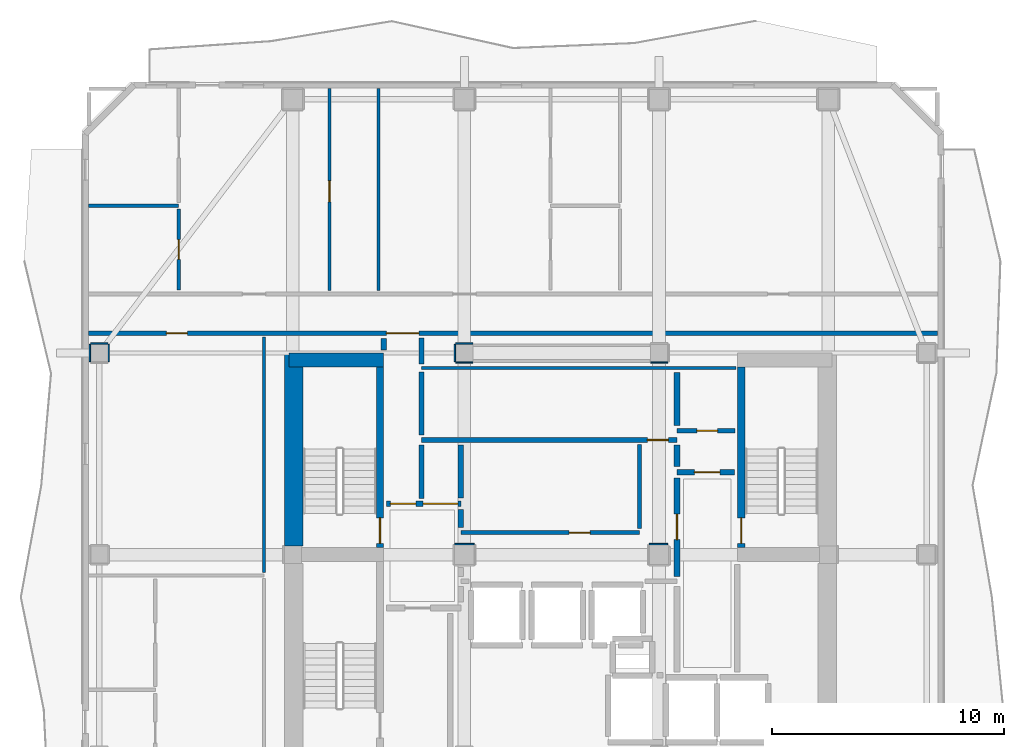
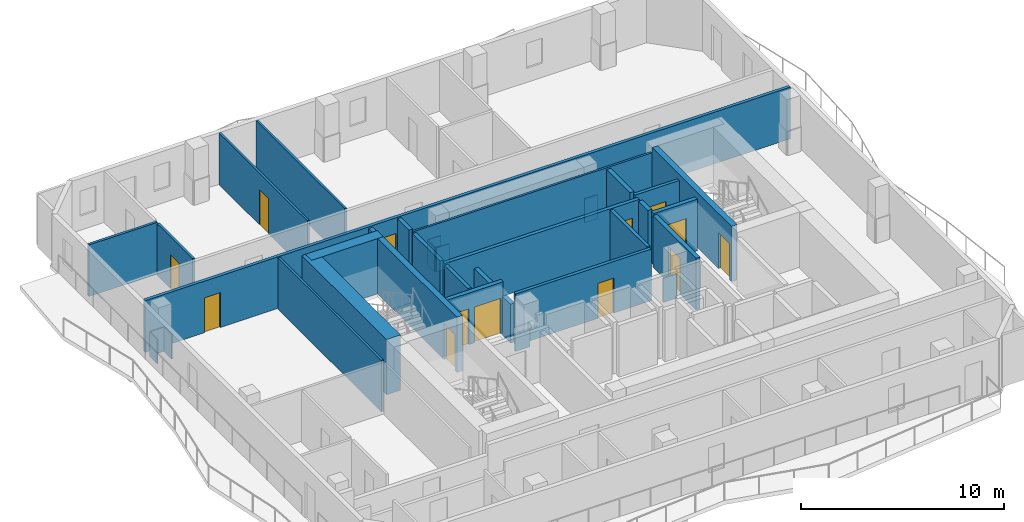
# One storey, part 4 of 10: 35 walls, 13 doors, 13 openings.
"""IFC4 building model written with IfcOpenShell, lengths in metres."""

import ifcopenshell
import ifcopenshell.guid

model = None  # the IFC model being written
_history = None  # IfcOwnerHistory: only IFC2X3 demands one
_inside = {}  # id of a spatial element -> (the spatial element, [elements in it])
_under = {}  # id of a project, library or spatial element -> (it, [spatial elements below it])
_declared = {}  # id of a project -> (the project, [libraries it declares])
_typed = {}  # id of a type object -> (the type object, [elements of that type])
_made_of = {}  # id of a material, layer set ... -> (it, [elements and type objects made of it])


def new_model(schema):
    """Start an empty IFC model of exactly this schema.

    Asked for "IFC4X3", IfcOpenShell would pick the latest addendum, in which some entities
    have other attributes; the version numbers below select the first issue.
    IFC2X3 requires an IfcOwnerHistory on every rooted entity: one is made here for all.
    """
    global model, _history
    if schema == "IFC4X3":
        model = ifcopenshell.file(schema_version=(4, 3, 0, 0))
    else:
        model = ifcopenshell.file(schema=schema)
    _inside.clear()
    _under.clear()
    _declared.clear()
    _typed.clear()
    _made_of.clear()
    _history = None
    if model.schema == "IFC2X3":
        org = make("IfcOrganization", Name="unknown")
        user = make(
            "IfcPersonAndOrganization",
            ThePerson=make("IfcPerson", FamilyName="unknown"),
            TheOrganization=org,
        )
        app = make(
            "IfcApplication",
            ApplicationDeveloper=org,
            Version="unknown",
            ApplicationFullName="unknown",
            ApplicationIdentifier="unknown",
        )
        _history = make(
            "IfcOwnerHistory",
            OwningUser=user,
            OwningApplication=app,
            ChangeAction="ADDED",
            CreationDate=0,
        )
    return model


def make(cls, **values):
    """One entity of the class cls with the attributes given. An attribute that is None is left unset."""
    return model.create_entity(
        cls, **{name: value for name, value in values.items() if value is not None}
    )


def rooted(cls, **values):
    """An entity with a GlobalId (a new one), such as an element, a storey or a relation."""
    return make(cls, GlobalId=ifcopenshell.guid.new(), OwnerHistory=_history, **values)


def si_unit(unit_type, name, prefix=None):
    """IfcSIUnit, for example si_unit("LENGTHUNIT", "METRE", prefix="MILLI")."""
    return make("IfcSIUnit", UnitType=unit_type, Prefix=prefix, Name=name)


def assignment(units):
    """IfcUnitAssignment: the units of a project."""
    return None if units is None else make("IfcUnitAssignment", Units=units)


def point(xyz):
    """IfcCartesianPoint."""
    return None if xyz is None else make("IfcCartesianPoint", Coordinates=xyz)


def direction(xyz):
    """IfcDirection."""
    return None if xyz is None else make("IfcDirection", DirectionRatios=xyz)


def frame(location, z_axis=None, x_axis=None):
    """IfcAxis2Placement3D, a coordinate frame: its origin and axes. An axis left out is left unset."""
    return make(
        "IfcAxis2Placement3D",
        Location=point(location),
        Axis=direction(z_axis),
        RefDirection=direction(x_axis),
    )


def frame_2d(location, x_axis=None):
    """IfcAxis2Placement2D, a coordinate frame in the plane: its origin and x axis."""
    return make(
        "IfcAxis2Placement2D", Location=point(location), RefDirection=direction(x_axis)
    )


def origin():
    """The frame at (0, 0, 0) with its axes left unset."""
    return frame((0.0, 0.0, 0.0))


def place(relative_to, where):
    """IfcLocalPlacement: puts the frame where relative to a parent placement (None: the world)."""
    return make(
        "IfcLocalPlacement", PlacementRelTo=relative_to, RelativePlacement=where
    )


def context(
    kind, dimensions, precision=None, world=None, true_north=None, identifier=None
):
    """IfcGeometricRepresentationContext, for example the 3D "Model" context."""
    return make(
        "IfcGeometricRepresentationContext",
        ContextIdentifier=identifier,
        ContextType=kind,
        CoordinateSpaceDimension=dimensions,
        Precision=precision,
        WorldCoordinateSystem=world,
        TrueNorth=true_north,
    )


def subcontext(parent, identifier, kind, view, scale=None):
    """IfcGeometricRepresentationSubContext, for example "Body" below "Model"."""
    return make(
        "IfcGeometricRepresentationSubContext",
        ContextIdentifier=identifier,
        ContextType=kind,
        ParentContext=parent,
        TargetScale=scale,
        TargetView=view,
    )


def project(units=None, contexts=None):
    """IfcProject with its units and contexts."""
    return rooted(
        "IfcProject",
        Name="project",
        RepresentationContexts=contexts,
        UnitsInContext=assignment(units),
    )


def spatial(cls, under=None, at=None, **own):
    """A site, building, storey or space (cls), placed at a placement, below another one or the project."""
    s = rooted(cls, ObjectPlacement=at, **own)
    if under is not None:
        _under.setdefault(under.id(), (under, []))[1].append(s)
    return s


def profile(cls, at=None, kind="AREA", **sizes):
    """A parametric profile (cls). Its sizes go by their IFC names, for example OverallWidth=200.0."""
    return make(cls, ProfileType=kind, Position=at, **sizes)


def rectangle(**sizes):
    """IfcRectangleProfileDef."""
    return profile("IfcRectangleProfileDef", **sizes)


def extrude(swept, where, along, depth):
    """IfcExtrudedAreaSolid: the profile swept, set in the frame where, extruded along a direction by depth."""
    return make(
        "IfcExtrudedAreaSolid",
        SweptArea=swept,
        Position=where,
        ExtrudedDirection=direction(along),
        Depth=depth,
    )


def shape(context_of_items, identifier, shape_type, items):
    """IfcShapeRepresentation: the items that make up one representation, for example the "Body"."""
    return make(
        "IfcShapeRepresentation",
        ContextOfItems=context_of_items,
        RepresentationIdentifier=identifier,
        RepresentationType=shape_type,
        Items=items,
    )


def material(Name=None, Category=None):
    """IfcMaterial."""
    return make("IfcMaterial", Name=Name, Category=Category)


def layer(
    of_material, thickness, ventilated=None, Name=None, Category=None, Priority=None
):
    """IfcMaterialLayer: one layer of a wall or slab, of a material (None: an air gap)."""
    return make(
        "IfcMaterialLayer",
        Material=of_material,
        LayerThickness=thickness,
        IsVentilated=ventilated,
        Name=Name,
        Category=Category,
        Priority=Priority,
    )


def layer_set(layers, Name=None):
    """IfcMaterialLayerSet."""
    return make("IfcMaterialLayerSet", MaterialLayers=layers, LayerSetName=Name)


def made_of(thing, what):
    """Note that an element or type object is made of a material, layer set ...; save() writes the relation."""
    if what is not None:
        _made_of.setdefault(what.id(), (what, []))[1].append(thing)
    return thing


def type_object(cls, material=None, **own):
    """A type object (cls), such as IfcWallType, which elements share."""
    return made_of(rooted(cls, **own), material)


def element(
    cls,
    number,
    at=None,
    inside=None,
    cuts=None,
    type_object=None,
    material=None,
    context=None,
    identifier="Body",
    shape_type=None,
    held_by="IfcProductDefinitionShape",
    body=None,
    shapes=None,
    **own,
):
    """One element of the class cls, such as IfcWall. Its Tag is "e" and its number.

    at: its placement. inside: the storey or other place that contains it. cuts: it is an
    opening in that element (IfcRelVoidsElement). A single representation is given by context,
    identifier, shape_type and body (its items); several are given by shapes. held_by: the class
    of the entity that holds the representations. save() writes the other relations.
    """
    e = rooted(cls, Tag="e%d" % number, ObjectPlacement=at, **own)
    if body is not None:
        shapes = [shape(context, identifier, shape_type, body)]
    if shapes is not None:
        e.Representation = make(held_by, Representations=shapes)
    if inside is not None:
        _inside.setdefault(inside.id(), (inside, []))[1].append(e)
    if cuts is not None:
        rooted(
            "IfcRelVoidsElement", RelatingBuildingElement=cuts, RelatedOpeningElement=e
        )
    if type_object is not None:
        _typed.setdefault(type_object.id(), (type_object, []))[1].append(e)
    return made_of(e, material)


def fill(opening, filler):
    """IfcRelFillsElement: the door or window that sits in an opening."""
    return rooted(
        "IfcRelFillsElement",
        RelatingOpeningElement=opening,
        RelatedBuildingElement=filler,
    )


def aggregate(whole, parts):
    """IfcRelAggregates: a whole, such as a stair, and the parts it consists of."""
    return rooted("IfcRelAggregates", RelatingObject=whole, RelatedObjects=parts)


def save(model, path):
    """Write the relations noted so far, then the file.

    IfcRelAggregates (storeys below a building ...), IfcRelContainedInSpatialStructure (elements
    in a storey), IfcRelDefinesByType, IfcRelAssociatesMaterial and IfcRelDeclares: one each for
    every whole, place, type object, material and project.
    """
    for whole, parts in _under.values():
        aggregate(whole, parts)
    for where, things in _inside.values():
        rooted(
            "IfcRelContainedInSpatialStructure",
            RelatedElements=things,
            RelatingStructure=where,
        )
    for kind, things in _typed.values():
        rooted("IfcRelDefinesByType", RelatedObjects=things, RelatingType=kind)
    for what, things in _made_of.values():
        rooted("IfcRelAssociatesMaterial", RelatedObjects=things, RelatingMaterial=what)
    for by, libraries in _declared.values():
        rooted("IfcRelDeclares", RelatingContext=by, RelatedDefinitions=libraries)
    model.write(path)


model = new_model("IFC4")

# Units and contexts
model_context = context("Model", 3, precision=1e-05, world=origin(), true_north=direction((0.0, 1.0)))
body_context = subcontext(model_context, "Body", "Model", "MODEL_VIEW")
ifc_project = project(units=[si_unit("LENGTHUNIT", "METRE"), si_unit("AREAUNIT", "SQUARE_METRE"), si_unit("VOLUMEUNIT", "CUBIC_METRE"), si_unit("PLANEANGLEUNIT", "RADIAN"), si_unit("MASSUNIT", "GRAM", prefix="KILO")], contexts=[model_context])

# Site, building, storey
site_placement = place(None, origin())
site = spatial("IfcSite", under=ifc_project, at=site_placement, CompositionType="ELEMENT")
building_placement = place(site_placement, origin())
building = spatial("IfcBuilding", under=site, at=building_placement, Name="Solanera Arch Residences", CompositionType="ELEMENT")
storey_placement = place(building_placement, frame((0.0, 0.0, 262.239990234375)))
storey = spatial("IfcBuildingStorey", under=building, at=storey_placement, Name="L76", CompositionType="ELEMENT", Elevation=262.239990234375)

# Walls
ifc_material_1 = material(Name="Fire-Rated Gypsum Stud Partition", Category="gypsum")
ifc_layer_1 = layer(ifc_material_1, 0.06005859375)
ifc_layer_set_1 = layer_set([ifc_layer_1], Name="Fire-Rated Gypsum Stud Partition")
wall_type_1 = type_object("IfcWallType", Name="Column Acoustic Furring Wall 60", PredefinedType="PARTITIONING", material=ifc_layer_set_1)
for number, where, z_axis, x_axis, name in (
    (1, (20.425048828125, 38.992919921875, 0.0), (0.0, 0.0, 1.0), (1.0, 0.0, 0.0), "L76 Column Furring 3S"),
    (2, (20.425048828125, 39.806884765625, 0.0), (0.0, 0.0, 1.0), (1.0, 0.0, 0.0), "L76 Column Furring 3N"),
):
    element("IfcWall", number, at=place(storey_placement, frame(where, z_axis=z_axis, x_axis=x_axis)), inside=storey, type_object=wall_type_1, Name=name, PredefinedType="PARTITIONING", context=body_context, shape_type="SweptSolid", body=[
        extrude(rectangle(XDim=0.741943359375, YDim=0.06005859375, at=frame_2d((0.37109375, 0.0))), origin(), (0.0, 0.0, 1.0), 1.449951171875),
    ])
wall_1_placement = place(storey_placement, frame((20.39306640625, 39.02490234375, 0.0), z_axis=(0.0, 0.0, 1.0), x_axis=(0.0, 1.0, 0.0)))
element("IfcWall", 3, at=wall_1_placement, inside=storey, type_object=wall_type_1, Name="L76 Column Furring 3W", PredefinedType="PARTITIONING", context=body_context, shape_type="SweptSolid", body=[
    extrude(rectangle(XDim=0.75, YDim=0.06005859375, at=frame_2d((0.375, 0.0))), origin(), (0.0, 0.0, 1.0), 1.449951171875),
])
wall_2_placement = place(storey_placement, frame((28.8330078125, 38.992919921875, 0.0), z_axis=(0.0, 0.0, 1.0), x_axis=(1.0, 0.0, 0.0)))
element("IfcWall", 4, at=wall_2_placement, inside=storey, type_object=wall_type_1, Name="L76 Column Furring 4S", PredefinedType="PARTITIONING", context=body_context, shape_type="SweptSolid", body=[
    extrude(rectangle(XDim=0.741943359375, YDim=0.06005859375, at=frame_2d((0.37109375, 0.0))), origin(), (0.0, 0.0, 1.0), 1.449951171875),
])
wall_3_placement = place(storey_placement, frame((20.375, 31.156982421875, 0.0), z_axis=(0.0, 0.0, 1.0), x_axis=(1.0, 0.0, 0.0)))
element("IfcWall", 5, at=wall_3_placement, inside=storey, type_object=wall_type_1, Name="L76 Column Furring 7N", PredefinedType="PARTITIONING", context=body_context, shape_type="SweptSolid", body=[
    extrude(rectangle(XDim=0.85009765625, YDim=0.06005859375, at=frame_2d((0.425048828125, 0.0))), origin(), (0.0, 0.0, 1.0), 1.449951171875),
])
wall_4_placement = place(storey_placement, frame((28.77490234375, 31.156982421875, 0.0), z_axis=(0.0, 0.0, 1.0), x_axis=(1.0, 0.0, 0.0)))
element("IfcWall", 6, at=wall_4_placement, inside=storey, type_object=wall_type_1, Name="L76 Column Furring 8N", PredefinedType="PARTITIONING", context=body_context, shape_type="SweptSolid", body=[
    extrude(rectangle(XDim=0.794189453125, YDim=0.06005859375, at=frame_2d((0.39697265625, 0.0))), origin(), (0.0, 0.0, 1.0), 1.449951171875),
])
for number, where, z_axis, x_axis, name in (
    (7, (4.675048828125, 39.806884765625, 0.0), (0.0, 0.0, 1.0), (1.0, 0.0, 0.0), "L76 Column Furring 21N"),
    (8, (4.64306640625, 39.02490234375, 0.0), (0.0, 0.0, 1.0), (0.0, 1.0, 0.0), "L76 Column Furring 21W"),
    (9, (5.45703125, 39.02490234375, 0.0), (0.0, 0.0, 1.0), (0.0, 1.0, 0.0), "L76 Column Furring 21E"),
):
    element("IfcWall", number, at=place(storey_placement, frame(where, z_axis=z_axis, x_axis=x_axis)), inside=storey, type_object=wall_type_1, Name=name, PredefinedType="PARTITIONING", context=body_context, shape_type="SweptSolid", body=[
        extrude(rectangle(XDim=0.75, YDim=0.06005859375, at=frame_2d((0.375, 0.0))), origin(), (0.0, 0.0, 1.0), 1.449951171875),
    ])

# Wall, opening, door
ifc_material_2 = material(Name="Concrete C40/50 (f'c = 45 MPa)", Category="concrete")
ifc_layer_2 = layer(ifc_material_2, 0.320068359375)
ifc_layer_set_2 = layer_set([ifc_layer_2], Name="Concrete C40/50 (f'c = 45 MPa)")
wall_type_2 = type_object("IfcWallType", Name="Core Shear Wall CW-320", PredefinedType="SHEAR", material=ifc_layer_set_2)
wall_5_placement = place(storey_placement, frame((17.159912109375, 31.0, 0.0), z_axis=(0.0, 0.0, 1.0), x_axis=(0.0, 1.0, 0.0)))
wall_5 = element("IfcWall", 10, at=wall_5_placement, inside=storey, type_object=wall_type_2, Name="L76 Stair ST-T1 East Shear Wall", PredefinedType="SHEAR", context=body_context, shape_type="SweptSolid", body=[
    extrude(rectangle(XDim=7.800048828125, YDim=0.320068359375, at=frame_2d((3.89990234375, 0.0))), origin(), (0.0, 0.0, 1.0), 3.320068359375),
])
opening_1_placement = place(wall_5_placement, frame((0.18994140625, 0.0, 0.0)))
opening_1 = element("IfcOpeningElement", 11, at=opening_1_placement, cuts=wall_5, Name="Opening DF-01", PredefinedType="OPENING", context=body_context, shape_type="SweptSolid", body=[
    extrude(rectangle(XDim=1.10009765625, YDim=2.14990234375, at=frame_2d((0.550048828125, 1.074951171875))), frame((0.0, 0.169921875, 0.0), z_axis=(0.0, -1.0, 0.0), x_axis=(1.0, 0.0, 0.0)), (0.0, 0.0, 1.0), 0.3401),
])
ifc_material_3 = material(Name="Fire-Rated Architectural Hardwood", Category="wood")
door_type_1 = type_object("IfcDoorType", Name="Stair Exit Fire Door DF-01", OperationType="NOTDEFINED", PredefinedType="DOOR", material=ifc_material_3)
door_1_placement = place(opening_1_placement, origin())
door_1 = element("IfcDoor", 12, at=door_1_placement, inside=storey, type_object=door_type_1, Name="DR-L76-STAIR-ST-T1", OperationType="SINGLE_SWING_LEFT", OverallHeight=2.14990234375, OverallWidth=1.10009765625, PredefinedType="DOOR", context=body_context, shape_type="SweptSolid", body=[
    extrude(rectangle(XDim=1.10009765625, YDim=2.14990234375, at=frame_2d((0.550048828125, 1.074951171875))), frame((0.0, 0.02490234375, 0.0), z_axis=(0.0, -1.0, 0.0), x_axis=(1.0, 0.0, 0.0)), (0.0, 0.0, 1.0), 0.050048828125),
])
fill(opening_1, door_1)

wall_6_placement = place(storey_placement, frame((32.739990234375, 31.0, 0.0), z_axis=(0.0, 0.0, 1.0), x_axis=(0.0, 1.0, 0.0)))
wall_6 = element("IfcWall", 13, at=wall_6_placement, inside=storey, type_object=wall_type_2, Name="L76 Stair ST-T2 West Shear Wall", PredefinedType="SHEAR", context=body_context, shape_type="SweptSolid", body=[
    extrude(rectangle(XDim=7.800048828125, YDim=0.320068359375, at=frame_2d((3.89990234375, 0.0))), origin(), (0.0, 0.0, 1.0), 3.320068359375),
])
opening_2_placement = place(wall_6_placement, frame((0.18994140625, 0.0, 0.0)))
opening_2 = element("IfcOpeningElement", 14, at=opening_2_placement, cuts=wall_6, Name="Opening DF-01", PredefinedType="OPENING", context=body_context, shape_type="SweptSolid", body=[
    extrude(rectangle(XDim=1.10009765625, YDim=2.14990234375, at=frame_2d((0.550048828125, 1.074951171875))), frame((0.0, 0.169921875, 0.0), z_axis=(0.0, -1.0, 0.0), x_axis=(1.0, 0.0, 0.0)), (0.0, 0.0, 1.0), 0.3401),
])
door_2_placement = place(opening_2_placement, origin())
door_2 = element("IfcDoor", 15, at=door_2_placement, inside=storey, type_object=door_type_1, Name="DR-L76-STAIR-ST-T2", OperationType="SINGLE_SWING_RIGHT", OverallHeight=2.14990234375, OverallWidth=1.10009765625, PredefinedType="DOOR", context=body_context, shape_type="SweptSolid", body=[
    extrude(rectangle(XDim=1.10009765625, YDim=2.14990234375, at=frame_2d((0.550048828125, 1.074951171875))), frame((0.0, 0.02490234375, 0.0), z_axis=(0.0, -1.0, 0.0), x_axis=(1.0, 0.0, 0.0)), (0.0, 0.0, 1.0), 0.050048828125),
])
fill(opening_2, door_2)

# Walls
ifc_material_4 = material(Name="Concrete C40/50 (f'c = 45 MPa)", Category="concrete")
ifc_layer_3 = layer(ifc_material_4, 0.60009765625)
ifc_layer_set_3 = layer_set([ifc_layer_3], Name="Concrete C40/50 (f'c = 45 MPa)")
wall_type_3 = type_object("IfcWallType", Name="Core Shear Wall CW-600", PredefinedType="SHEAR", material=ifc_layer_set_3)
wall_7_placement = place(storey_placement, frame((13.239990234375, 39.10009765625, 0.0), z_axis=(0.0, 0.0, 1.0), x_axis=(1.0, 0.0, 0.0)))
element("IfcWall", 16, at=wall_7_placement, inside=storey, type_object=wall_type_3, Name="L76 North-West Core Shear Wall", PredefinedType="SHEAR", context=body_context, shape_type="SweptSolid", body=[
    extrude(rectangle(XDim=4.080078125, YDim=0.60009765625, at=frame_2d((2.0400390625, 0.0))), origin(), (0.0, 0.0, 1.0), 3.320068359375),
])
ifc_material_5 = material(Name="Concrete C40/50 (f'c = 45 MPa)", Category="concrete")
ifc_layer_4 = layer(ifc_material_5, 0.800048828125)
ifc_layer_set_4 = layer_set([ifc_layer_4], Name="Concrete C40/50 (f'c = 45 MPa)")
wall_type_4 = type_object("IfcWallType", Name="Core Shear Wall CW-800", PredefinedType="SHEAR", material=ifc_layer_set_4)
wall_8_placement = place(storey_placement, frame((13.43994140625, 31.080078125, 0.0), z_axis=(0.0, 0.0, 1.0), x_axis=(0.0, 1.0, 0.0)))
element("IfcWall", 17, at=wall_8_placement, inside=storey, type_object=wall_type_4, Name="L76 West Core North Shear Wall", PredefinedType="SHEAR", context=body_context, shape_type="SweptSolid", body=[
    extrude(rectangle(XDim=8.31982421875, YDim=0.800048828125, at=frame_2d((4.159912109375, 0.0))), origin(), (0.0, 0.0, 1.0), 3.320068359375),
])

# Wall, opening, door
ifc_material_6 = material(Name="Autoclaved Aerated Concrete Blockwork", Category="masonry")
ifc_layer_5 = layer(ifc_material_6, 0.179931640625)
ifc_layer_set_5 = layer_set([ifc_layer_5], Name="Autoclaved Aerated Concrete Blockwork")
wall_type_5 = type_object("IfcWallType", Name="Corridor Fire Partition 180", PredefinedType="PARTITIONING", material=ifc_layer_set_5)
wall_9_placement = place(storey_placement, frame((20.64990234375, 31.64990234375, 0.0), z_axis=(0.0, 0.0, 1.0), x_axis=(1.0, 0.0, 0.0)))
wall_9 = element("IfcWall", 18, at=wall_9_placement, inside=storey, type_object=wall_type_5, Name="L76 Interior Partition H9", PredefinedType="PARTITIONING", context=body_context, shape_type="SweptSolid", body=[
    extrude(rectangle(XDim=7.7001953125, YDim=0.179931640625, at=frame_2d((3.85009765625, 0.0))), origin(), (0.0, 0.0, 1.0), 3.10009765625),
])
opening_3_placement = place(wall_9_placement, frame((4.673095703125, 0.0, 0.0)))
opening_3 = element("IfcOpeningElement", 19, at=opening_3_placement, cuts=wall_9, Name="Opening DI-02", PredefinedType="OPENING", context=body_context, shape_type="SweptSolid", body=[
    extrude(rectangle(XDim=0.89990234375, YDim=2.10009765625, at=frame_2d((0.449951171875, 1.050048828125))), frame((0.0, 0.10009765625, 0.0), z_axis=(0.0, -1.0, 0.0), x_axis=(1.0, 0.0, 0.0)), (0.0, 0.0, 1.0), 0.1999),
])
ifc_material_7 = material(Name="Fire-Rated Architectural Hardwood", Category="wood")
door_type_2 = type_object("IfcDoorType", Name="Suite Room Swing Door DI-02", OperationType="NOTDEFINED", PredefinedType="DOOR", material=ifc_material_7)
door_3_placement = place(opening_3_placement, origin())
door_3 = element("IfcDoor", 20, at=door_3_placement, inside=storey, type_object=door_type_2, Name="DR-L76-IN-013", OperationType="SINGLE_SWING_LEFT", OverallHeight=2.10009765625, OverallWidth=0.89990234375, PredefinedType="DOOR", context=body_context, shape_type="SweptSolid", body=[
    extrude(rectangle(XDim=0.89990234375, YDim=2.10009765625, at=frame_2d((0.449951171875, 1.050048828125))), frame((0.0, 0.02490234375, 0.0), z_axis=(0.0, -1.0, 0.0), x_axis=(1.0, 0.0, 0.0)), (0.0, 0.0, 1.0), 0.050048828125),
])
fill(opening_3, door_3)

wall_10_placement = place(storey_placement, frame((29.97509765625, 36.050048828125, 0.0), z_axis=(0.0, 0.0, 1.0), x_axis=(1.0, 0.0, 0.0)))
wall_10 = element("IfcWall", 21, at=wall_10_placement, inside=storey, type_object=wall_type_5, Name="L76 Interior Partition H10", PredefinedType="PARTITIONING", context=body_context, shape_type="SweptSolid", body=[
    extrude(rectangle(XDim=2.5048828125, YDim=0.179931640625, at=frame_2d((1.25244140625, 0.0))), origin(), (0.0, 0.0, 1.0), 3.10009765625),
])
opening_4_placement = place(wall_10_placement, frame((0.85205078125, 0.0, 0.0)))
opening_4 = element("IfcOpeningElement", 22, at=opening_4_placement, cuts=wall_10, Name="Opening DI-02", PredefinedType="OPENING", context=body_context, shape_type="SweptSolid", body=[
    extrude(rectangle(XDim=0.89990234375, YDim=2.10009765625, at=frame_2d((0.449951171875, 1.050048828125))), frame((0.0, 0.10009765625, 0.0), z_axis=(0.0, -1.0, 0.0), x_axis=(1.0, 0.0, 0.0)), (0.0, 0.0, 1.0), 0.1999),
])
door_4_placement = place(opening_4_placement, origin())
door_4 = element("IfcDoor", 23, at=door_4_placement, inside=storey, type_object=door_type_2, Name="DR-L76-IN-011", OperationType="SINGLE_SWING_LEFT", OverallHeight=2.10009765625, OverallWidth=0.89990234375, PredefinedType="DOOR", context=body_context, shape_type="SweptSolid", body=[
    extrude(rectangle(XDim=0.89990234375, YDim=2.10009765625, at=frame_2d((0.449951171875, 1.050048828125))), frame((0.0, 0.02490234375, 0.0), z_axis=(0.0, -1.0, 0.0), x_axis=(1.0, 0.0, 0.0)), (0.0, 0.0, 1.0), 0.050048828125),
])
fill(opening_4, door_4)

# Wall, openings, doors
wall_11_placement = place(storey_placement, frame((4.5869140625, 40.25, 0.0), z_axis=(0.0, 0.0, 1.0), x_axis=(1.0, 0.0, 0.0)))
wall_11 = element("IfcWall", 24, at=wall_11_placement, inside=storey, type_object=wall_type_5, Name="L76 Interior Partition H11", PredefinedType="PARTITIONING", context=body_context, shape_type="SweptSolid", body=[
    extrude(rectangle(XDim=36.6259765625, YDim=0.179931640625, at=frame_2d((18.31298828125, 0.0))), origin(), (0.0, 0.0, 1.0), 3.10009765625),
])
opening_5_placement = place(wall_11_placement, frame((12.847900390625, 0.0, 0.0)))
opening_5 = element("IfcOpeningElement", 25, at=opening_5_placement, cuts=wall_11, Name="Opening DF-03", PredefinedType="OPENING", context=body_context, shape_type="SweptSolid", body=[
    extrude(rectangle(XDim=1.39990234375, YDim=2.14990234375, at=frame_2d((0.699951171875, 1.074951171875))), frame((0.0, 0.10009765625, 0.0), z_axis=(0.0, -1.0, 0.0), x_axis=(1.0, 0.0, 0.0)), (0.0, 0.0, 1.0), 0.1999),
])
opening_6_placement = place(wall_11_placement, frame((3.362060546875, 0.0, 0.0)))
opening_6 = element("IfcOpeningElement", 26, at=opening_6_placement, cuts=wall_11, Name="Opening DI-02", PredefinedType="OPENING", context=body_context, shape_type="SweptSolid", body=[
    extrude(rectangle(XDim=0.89990234375, YDim=2.10009765625, at=frame_2d((0.449951171875, 1.050048828125))), frame((0.0, 0.10009765625, 0.0), z_axis=(0.0, -1.0, 0.0), x_axis=(1.0, 0.0, 0.0)), (0.0, 0.0, 1.0), 0.1999),
])
ifc_material_8 = material(Name="Fire-Rated Architectural Hardwood", Category="wood")
door_type_3 = type_object("IfcDoorType", Name="Corridor Smoke Door DF-03", OperationType="NOTDEFINED", PredefinedType="DOOR", material=ifc_material_8)
door_5_placement = place(opening_5_placement, origin())
door_5 = element("IfcDoor", 27, at=door_5_placement, inside=storey, type_object=door_type_3, Name="DR-L76-IN-009", OperationType="SINGLE_SWING_LEFT", OverallHeight=2.14990234375, OverallWidth=1.39990234375, PredefinedType="DOOR", context=body_context, shape_type="SweptSolid", body=[
    extrude(rectangle(XDim=1.39990234375, YDim=2.14990234375, at=frame_2d((0.699951171875, 1.074951171875))), frame((0.0, 0.02490234375, 0.0), z_axis=(0.0, -1.0, 0.0), x_axis=(1.0, 0.0, 0.0)), (0.0, 0.0, 1.0), 0.050048828125),
])
fill(opening_5, door_5)
door_6_placement = place(opening_6_placement, origin())
door_6 = element("IfcDoor", 28, at=door_6_placement, inside=storey, type_object=door_type_2, Name="DR-L76-IN-034", OperationType="SINGLE_SWING_RIGHT", OverallHeight=2.10009765625, OverallWidth=0.89990234375, PredefinedType="DOOR", context=body_context, shape_type="SweptSolid", body=[
    extrude(rectangle(XDim=0.89990234375, YDim=2.10009765625, at=frame_2d((0.449951171875, 1.050048828125))), frame((0.0, 0.02490234375, 0.0), z_axis=(0.0, -1.0, 0.0), x_axis=(1.0, 0.0, 0.0)), (0.0, 0.0, 1.0), 0.050048828125),
])
fill(opening_6, door_6)

# Wall
wall_12_placement = place(storey_placement, frame((28.35009765625, 31.837890625, 0.0), z_axis=(0.0, 0.0, 1.0), x_axis=(0.0, 1.0, 0.0)))
element("IfcWall", 29, at=wall_12_placement, inside=storey, type_object=wall_type_5, Name="L76 Interior Partition V8", PredefinedType="PARTITIONING", context=body_context, shape_type="SweptSolid", body=[
    extrude(rectangle(XDim=3.614013671875, YDim=0.179931640625, at=frame_2d((1.80712890625, 0.0))), origin(), (0.0, 0.0, 1.0), 3.10009765625),
])

# Wall, opening, door
ifc_material_9 = material(Name="Autoclaved Aerated Concrete Blockwork", Category="masonry")
ifc_layer_6 = layer(ifc_material_9, 0.199951171875)
ifc_layer_set_6 = layer_set([ifc_layer_6], Name="Autoclaved Aerated Concrete Blockwork")
wall_type_6 = type_object("IfcWallType", Name="Party Wall Acoustic 200", PredefinedType="PARTITIONING", material=ifc_layer_set_6)
wall_13_placement = place(storey_placement, frame((18.949951171875, 35.64990234375, 0.0), z_axis=(0.0, 0.0, 1.0), x_axis=(1.0, 0.0, 0.0)))
wall_13 = element("IfcWall", 30, at=wall_13_placement, inside=storey, type_object=wall_type_6, Name="L76 Interior Partition H6", PredefinedType="PARTITIONING", context=body_context, shape_type="SweptSolid", body=[
    extrude(rectangle(XDim=11.025146484375, YDim=0.199951171875, at=frame_2d((5.5126953125, 0.0))), origin(), (0.0, 0.0, 1.0), 3.10009765625),
])
opening_7_placement = place(wall_13_placement, frame((9.7490234375, 0.0, 0.0)))
opening_7 = element("IfcOpeningElement", 31, at=opening_7_placement, cuts=wall_13, Name="Opening DI-02", PredefinedType="OPENING", context=body_context, shape_type="SweptSolid", body=[
    extrude(rectangle(XDim=0.89990234375, YDim=2.10009765625, at=frame_2d((0.449951171875, 1.050048828125))), frame((0.0, 0.110107421875, 0.0), z_axis=(0.0, -1.0, 0.0), x_axis=(1.0, 0.0, 0.0)), (0.0, 0.0, 1.0), 0.22),
])
door_7_placement = place(opening_7_placement, origin())
door_7 = element("IfcDoor", 32, at=door_7_placement, inside=storey, type_object=door_type_2, Name="DR-L76-IN-012", OperationType="SINGLE_SWING_RIGHT", OverallHeight=2.10009765625, OverallWidth=0.89990234375, PredefinedType="DOOR", context=body_context, shape_type="SweptSolid", body=[
    extrude(rectangle(XDim=0.89990234375, YDim=2.10009765625, at=frame_2d((0.449951171875, 1.050048828125))), frame((0.0, 0.02490234375, 0.0), z_axis=(0.0, -1.0, 0.0), x_axis=(1.0, 0.0, 0.0)), (0.0, 0.0, 1.0), 0.050048828125),
])
fill(opening_7, door_7)

# Walls
wall_14_placement = place(storey_placement, frame((18.949951171875, 33.1279296875, 0.0), z_axis=(0.0, 0.0, 1.0), x_axis=(0.0, 1.0, 0.0)))
element("IfcWall", 33, at=wall_14_placement, inside=storey, type_object=wall_type_6, Name="L76 Interior Partition V6 1", PredefinedType="PARTITIONING", context=body_context, shape_type="SweptSolid", body=[
    extrude(rectangle(XDim=2.31396484375, YDim=0.199951171875, at=frame_2d((1.156982421875, 0.0))), origin(), (0.0, 0.0, 1.0), 3.10009765625),
])
wall_15_placement = place(storey_placement, frame((18.949951171875, 35.85791015625, 0.0), z_axis=(0.0, 0.0, 1.0), x_axis=(0.0, 1.0, 0.0)))
element("IfcWall", 34, at=wall_15_placement, inside=storey, type_object=wall_type_6, Name="L76 Interior Partition V6 2", PredefinedType="PARTITIONING", context=body_context, shape_type="SweptSolid", body=[
    extrude(rectangle(XDim=2.72412109375, YDim=0.199951171875, at=frame_2d((1.362060546875, 0.0))), origin(), (0.0, 0.0, 1.0), 3.10009765625),
])
wall_16_placement = place(storey_placement, frame((18.949951171875, 38.91796875, 0.0), z_axis=(0.0, 0.0, 1.0), x_axis=(0.0, 1.0, 0.0)))
element("IfcWall", 35, at=wall_16_placement, inside=storey, type_object=wall_type_6, Name="L76 Interior Partition V6 3", PredefinedType="PARTITIONING", context=body_context, shape_type="SweptSolid", body=[
    extrude(rectangle(XDim=1.134033203125, YDim=0.199951171875, at=frame_2d((0.56689453125, 0.0))), origin(), (0.0, 0.0, 1.0), 3.10009765625),
])

# Wall, openings, doors
ifc_material_10 = material(Name="Autoclaved Aerated Concrete Blockwork", Category="masonry")
ifc_layer_7 = layer(ifc_material_10, 0.239990234375)
ifc_layer_set_7 = layer_set([ifc_layer_7], Name="Autoclaved Aerated Concrete Blockwork")
wall_type_7 = type_object("IfcWallType", Name="Shaft Wall Fire-Rated 240", PredefinedType="PARTITIONING", material=ifc_layer_set_7)
wall_17_placement = place(storey_placement, frame((17.449951171875, 32.89990234375, 0.0), z_axis=(0.0, 0.0, 1.0), x_axis=(1.0, 0.0, 0.0)))
wall_17 = element("IfcWall", 36, at=wall_17_placement, inside=storey, type_object=wall_type_7, Name="L76 Interior Partition H4", PredefinedType="PARTITIONING", context=body_context, shape_type="SweptSolid", body=[
    extrude(rectangle(XDim=3.199951171875, YDim=0.239990234375, at=frame_2d((1.60009765625, 0.0))), origin(), (0.0, 0.0, 1.0), 3.10009765625),
])
opening_8_placement = place(wall_17_placement, frame((0.158935546875, 0.0, 0.0)))
opening_8 = element("IfcOpeningElement", 37, at=opening_8_placement, cuts=wall_17, Name="Opening DF-02", PredefinedType="OPENING", context=body_context, shape_type="SweptSolid", body=[
    extrude(rectangle(XDim=1.10009765625, YDim=2.14990234375, at=frame_2d((0.550048828125, 1.074951171875))), frame((0.0, 0.1298828125, 0.0), z_axis=(0.0, -1.0, 0.0), x_axis=(1.0, 0.0, 0.0)), (0.0, 0.0, 1.0), 0.26),
])
opening_9_placement = place(wall_17_placement, frame((1.575927734375, 0.0, 0.0)))
opening_9 = element("IfcOpeningElement", 38, at=opening_9_placement, cuts=wall_17, Name="Opening DP-01", PredefinedType="OPENING", context=body_context, shape_type="SweptSolid", body=[
    extrude(rectangle(XDim=1.5, YDim=2.14990234375, at=frame_2d((0.75, 1.074951171875))), frame((0.0, 0.1298828125, 0.0), z_axis=(0.0, -1.0, 0.0), x_axis=(1.0, 0.0, 0.0)), (0.0, 0.0, 1.0), 0.26),
])
ifc_material_11 = material(Name="Fire-Rated Architectural Hardwood", Category="wood")
door_type_4 = type_object("IfcDoorType", Name="Firefighting Lobby Fire Door DF-02", OperationType="NOTDEFINED", PredefinedType="DOOR", material=ifc_material_11)
door_8_placement = place(opening_8_placement, origin())
door_8 = element("IfcDoor", 39, at=door_8_placement, inside=storey, type_object=door_type_4, Name="DR-L76-IN-005", OperationType="SINGLE_SWING_LEFT", OverallHeight=2.14990234375, OverallWidth=1.10009765625, PredefinedType="DOOR", context=body_context, shape_type="SweptSolid", body=[
    extrude(rectangle(XDim=1.10009765625, YDim=2.14990234375, at=frame_2d((0.550048828125, 1.074951171875))), frame((0.0, 0.02490234375, 0.0), z_axis=(0.0, -1.0, 0.0), x_axis=(1.0, 0.0, 0.0)), (0.0, 0.0, 1.0), 0.050048828125),
])
fill(opening_8, door_8)
ifc_material_12 = material(Name="Fire-Rated Architectural Hardwood", Category="wood")
door_type_5 = type_object("IfcDoorType", Name="Plant Double Fire Door DP-01", OperationType="NOTDEFINED", PredefinedType="DOOR", material=ifc_material_12)
door_9_placement = place(opening_9_placement, origin())
door_9 = element("IfcDoor", 40, at=door_9_placement, inside=storey, type_object=door_type_5, Name="DR-L76-IN-010", OperationType="SINGLE_SWING_RIGHT", OverallHeight=2.14990234375, OverallWidth=1.5, PredefinedType="DOOR", context=body_context, shape_type="SweptSolid", body=[
    extrude(rectangle(XDim=1.5, YDim=2.14990234375, at=frame_2d((0.75, 1.074951171875))), frame((0.0, 0.02490234375, 0.0), z_axis=(0.0, -1.0, 0.0), x_axis=(1.0, 0.0, 0.0)), (0.0, 0.0, 1.0), 0.050048828125),
])
fill(opening_9, door_9)

# Wall, opening, door
wall_18_placement = place(storey_placement, frame((29.97509765625, 34.25, 0.0), z_axis=(0.0, 0.0, 1.0), x_axis=(1.0, 0.0, 0.0)))
wall_18 = element("IfcWall", 41, at=wall_18_placement, inside=storey, type_object=wall_type_7, Name="L76 Interior Partition H5", PredefinedType="PARTITIONING", context=body_context, shape_type="SweptSolid", body=[
    extrude(rectangle(XDim=2.474853515625, YDim=0.239990234375, at=frame_2d((1.2373046875, 0.0))), origin(), (0.0, 0.0, 1.0), 3.10009765625),
])
opening_10_placement = place(wall_18_placement, frame((0.751953125, 0.0, 0.0)))
opening_10 = element("IfcOpeningElement", 42, at=opening_10_placement, cuts=wall_18, Name="Opening DF-02", PredefinedType="OPENING", context=body_context, shape_type="SweptSolid", body=[
    extrude(rectangle(XDim=1.10009765625, YDim=2.14990234375, at=frame_2d((0.550048828125, 1.074951171875))), frame((0.0, 0.1298828125, 0.0), z_axis=(0.0, -1.0, 0.0), x_axis=(1.0, 0.0, 0.0)), (0.0, 0.0, 1.0), 0.26),
])
door_10_placement = place(opening_10_placement, origin())
door_10 = element("IfcDoor", 43, at=door_10_placement, inside=storey, type_object=door_type_4, Name="DR-L76-IN-007", OperationType="SINGLE_SWING_LEFT", OverallHeight=2.14990234375, OverallWidth=1.10009765625, PredefinedType="DOOR", context=body_context, shape_type="SweptSolid", body=[
    extrude(rectangle(XDim=1.10009765625, YDim=2.14990234375, at=frame_2d((0.550048828125, 1.074951171875))), frame((0.0, 0.02490234375, 0.0), z_axis=(0.0, -1.0, 0.0), x_axis=(1.0, 0.0, 0.0)), (0.0, 0.0, 1.0), 0.050048828125),
])
fill(opening_10, door_10)

# Walls
wall_19_placement = place(storey_placement, frame((17.320068359375, 39.530029296875, 0.0), z_axis=(0.0, 0.0, 1.0), x_axis=(0.0, 1.0, 0.0)))
element("IfcWall", 44, at=wall_19_placement, inside=storey, type_object=wall_type_7, Name="L76 Interior Partition V1", PredefinedType="PARTITIONING", context=body_context, shape_type="SweptSolid", body=[
    extrude(rectangle(XDim=0.501953125, YDim=0.239990234375, at=frame_2d((0.2509765625, 0.0))), origin(), (0.0, 0.0, 1.0), 3.10009765625),
])
wall_20_placement = place(storey_placement, frame((20.64990234375, 31.867919921875, 0.0), z_axis=(0.0, 0.0, 1.0), x_axis=(0.0, 1.0, 0.0)))
element("IfcWall", 45, at=wall_20_placement, inside=storey, type_object=wall_type_7, Name="L76 Interior Partition V3 3", PredefinedType="PARTITIONING", context=body_context, shape_type="SweptSolid", body=[
    extrude(rectangle(XDim=0.7841796875, YDim=0.239990234375, at=frame_2d((0.39208984375, 0.0))), origin(), (0.0, 0.0, 1.0), 2.3349609375),
])
wall_21_placement = place(storey_placement, frame((20.64990234375, 33.14794921875, 0.0), z_axis=(0.0, 0.0, 1.0), x_axis=(0.0, 1.0, 0.0)))
element("IfcWall", 46, at=wall_21_placement, inside=storey, type_object=wall_type_7, Name="L76 Interior Partition V3 4", PredefinedType="PARTITIONING", context=body_context, shape_type="SweptSolid", body=[
    extrude(rectangle(XDim=2.274169921875, YDim=0.239990234375, at=frame_2d((1.13720703125, 0.0))), origin(), (0.0, 0.0, 1.0), 2.3349609375),
])

# Wall, opening, door
wall_22_placement = place(storey_placement, frame((29.97509765625, 29.76806640625, 0.0), z_axis=(0.0, 0.0, 1.0), x_axis=(0.0, 1.0, 0.0)))
wall_22 = element("IfcWall", 47, at=wall_22_placement, inside=storey, type_object=wall_type_7, Name="L76 Interior Partition V4 2", PredefinedType="PARTITIONING", context=body_context, shape_type="SweptSolid", body=[
    extrude(rectangle(XDim=4.23388671875, YDim=0.239990234375, at=frame_2d((2.116943359375, 0.0))), origin(), (0.0, 0.0, 1.0), 3.10009765625),
])
opening_11_placement = place(wall_22_placement, frame((1.58203125, 0.0, 0.0)))
opening_11 = element("IfcOpeningElement", 48, at=opening_11_placement, cuts=wall_22, Name="Opening DF-02", PredefinedType="OPENING", context=body_context, shape_type="SweptSolid", body=[
    extrude(rectangle(XDim=1.10009765625, YDim=2.14990234375, at=frame_2d((0.550048828125, 1.074951171875))), frame((0.0, 0.1298828125, 0.0), z_axis=(0.0, -1.0, 0.0), x_axis=(1.0, 0.0, 0.0)), (0.0, 0.0, 1.0), 0.26),
])
door_11_placement = place(opening_11_placement, origin())
door_11 = element("IfcDoor", 49, at=door_11_placement, inside=storey, type_object=door_type_4, Name="DR-L76-IN-006", OperationType="SINGLE_SWING_RIGHT", OverallHeight=2.14990234375, OverallWidth=1.10009765625, PredefinedType="DOOR", context=body_context, shape_type="SweptSolid", body=[
    extrude(rectangle(XDim=1.10009765625, YDim=2.14990234375, at=frame_2d((0.550048828125, 1.074951171875))), frame((0.0, 0.02490234375, 0.0), z_axis=(0.0, -1.0, 0.0), x_axis=(1.0, 0.0, 0.0)), (0.0, 0.0, 1.0), 0.050048828125),
])
fill(opening_11, door_11)

# Walls
wall_23_placement = place(storey_placement, frame((29.97509765625, 34.498046875, 0.0), z_axis=(0.0, 0.0, 1.0), x_axis=(0.0, 1.0, 0.0)))
element("IfcWall", 50, at=wall_23_placement, inside=storey, type_object=wall_type_7, Name="L76 Interior Partition V4 3", PredefinedType="PARTITIONING", context=body_context, shape_type="SweptSolid", body=[
    extrude(rectangle(XDim=0.924072265625, YDim=0.239990234375, at=frame_2d((0.4619140625, 0.0))), origin(), (0.0, 0.0, 1.0), 3.10009765625),
])
wall_24_placement = place(storey_placement, frame((29.97509765625, 36.26806640625, 0.0), z_axis=(0.0, 0.0, 1.0), x_axis=(0.0, 1.0, 0.0)))
element("IfcWall", 51, at=wall_24_placement, inside=storey, type_object=wall_type_7, Name="L76 Interior Partition V4 4", PredefinedType="PARTITIONING", context=body_context, shape_type="SweptSolid", body=[
    extrude(rectangle(XDim=2.2939453125, YDim=0.239990234375, at=frame_2d((1.14697265625, 0.0))), origin(), (0.0, 0.0, 1.0), 3.10009765625),
])
ifc_material_13 = material(Name="Fire-Rated Gypsum Stud Partition", Category="gypsum")
ifc_layer_8 = layer(ifc_material_13, 0.1201171875)
ifc_layer_set_8 = layer_set([ifc_layer_8], Name="Fire-Rated Gypsum Stud Partition")
wall_type_8 = type_object("IfcWallType", Name="Unit Drywall Partition 120", PredefinedType="PARTITIONING", material=ifc_layer_set_8)
wall_25_placement = place(storey_placement, frame((18.949951171875, 38.75, 0.0), z_axis=(0.0, 0.0, 1.0), x_axis=(1.0, 0.0, 0.0)))
element("IfcWall", 52, at=wall_25_placement, inside=storey, type_object=wall_type_8, Name="L76 Interior Partition H19", PredefinedType="PARTITIONING", context=body_context, shape_type="SweptSolid", body=[
    extrude(rectangle(XDim=13.56005859375, YDim=0.1201171875, at=frame_2d((6.780029296875, 0.0))), origin(), (0.0, 0.0, 1.0), 3.10009765625),
])
wall_26_placement = place(storey_placement, frame((12.14990234375, 29.93798828125, 0.0), z_axis=(0.0, 0.0, 1.0), x_axis=(0.0, 1.0, 0.0)))
element("IfcWall", 53, at=wall_26_placement, inside=storey, type_object=wall_type_8, Name="L76 Interior Partition V21 2", PredefinedType="PARTITIONING", context=body_context, shape_type="SweptSolid", body=[
    extrude(rectangle(XDim=10.154052734375, YDim=0.1201171875, at=frame_2d((5.0771484375, 0.0))), origin(), (0.0, 0.0, 1.0), 3.10009765625),
])

# Wall, opening, door
wall_27_placement = place(storey_placement, frame((14.97998046875, 42.10791015625, 0.0), z_axis=(0.0, 0.0, 1.0), x_axis=(0.0, 1.0, 0.0)))
wall_27 = element("IfcWall", 54, at=wall_27_placement, inside=storey, type_object=wall_type_8, Name="L76 Interior Partition V22", PredefinedType="PARTITIONING", context=body_context, shape_type="SweptSolid", body=[
    extrude(rectangle(XDim=8.705078125, YDim=0.1201171875, at=frame_2d((4.3525390625, 0.0))), origin(), (0.0, 0.0, 1.0), 3.10009765625),
])
opening_12_placement = place(wall_27_placement, frame((3.81689453125, 0.0, 0.0)))
opening_12 = element("IfcOpeningElement", 55, at=opening_12_placement, cuts=wall_27, Name="Opening DI-02", PredefinedType="OPENING", context=body_context, shape_type="SweptSolid", body=[
    extrude(rectangle(XDim=0.89990234375, YDim=2.10009765625, at=frame_2d((0.449951171875, 1.050048828125))), frame((0.0, 0.070068359375, 0.0), z_axis=(0.0, -1.0, 0.0), x_axis=(1.0, 0.0, 0.0)), (0.0, 0.0, 1.0), 0.1401),
])
door_12_placement = place(opening_12_placement, origin())
door_12 = element("IfcDoor", 56, at=door_12_placement, inside=storey, type_object=door_type_2, Name="DR-L76-IN-026", OperationType="SINGLE_SWING_RIGHT", OverallHeight=2.10009765625, OverallWidth=0.89990234375, PredefinedType="DOOR", context=body_context, shape_type="SweptSolid", body=[
    extrude(rectangle(XDim=0.89990234375, YDim=2.10009765625, at=frame_2d((0.449951171875, 1.050048828125))), frame((0.0, 0.02490234375, 0.0), z_axis=(0.0, -1.0, 0.0), x_axis=(1.0, 0.0, 0.0)), (0.0, 0.0, 1.0), 0.050048828125),
])
fill(opening_12, door_12)

# Walls
wall_28_placement = place(storey_placement, frame((17.094970703125, 42.10791015625, 0.0), z_axis=(0.0, 0.0, 1.0), x_axis=(0.0, 1.0, 0.0)))
element("IfcWall", 57, at=wall_28_placement, inside=storey, type_object=wall_type_8, Name="L76 Interior Partition V23", PredefinedType="PARTITIONING", context=body_context, shape_type="SweptSolid", body=[
    extrude(rectangle(XDim=8.705078125, YDim=0.1201171875, at=frame_2d((4.3525390625, 0.0))), origin(), (0.0, 0.0, 1.0), 3.10009765625),
])
ifc_material_14 = material(Name="Autoclaved Aerated Concrete Blockwork", Category="masonry")
ifc_layer_9 = layer(ifc_material_14, 0.139892578125)
ifc_layer_set_9 = layer_set([ifc_layer_9], Name="Autoclaved Aerated Concrete Blockwork")
wall_type_9 = type_object("IfcWallType", Name="Wet-Room Partition 140", PredefinedType="PARTITIONING", material=ifc_layer_set_9)
wall_29_placement = place(storey_placement, frame((4.5869140625, 45.756103515625, 0.0), z_axis=(0.0, 0.0, 1.0), x_axis=(1.0, 0.0, 0.0)))
element("IfcWall", 58, at=wall_29_placement, inside=storey, type_object=wall_type_9, Name="L76 Interior Partition H16", PredefinedType="PARTITIONING", context=body_context, shape_type="SweptSolid", body=[
    extrude(rectangle(XDim=3.885986328125, YDim=0.139892578125, at=frame_2d((1.94287109375, 0.0))), origin(), (0.0, 0.0, 1.0), 3.10009765625),
])

# Wall, opening, door
wall_30_placement = place(storey_placement, frame((8.472900390625, 42.117919921875, 0.0), z_axis=(0.0, 0.0, 1.0), x_axis=(0.0, 1.0, 0.0)))
wall_30 = element("IfcWall", 59, at=wall_30_placement, inside=storey, type_object=wall_type_9, Name="L76 Interior Partition V13 1", PredefinedType="PARTITIONING", context=body_context, shape_type="SweptSolid", body=[
    extrude(rectangle(XDim=3.489990234375, YDim=0.139892578125, at=frame_2d((1.7451171875, 0.0))), origin(), (0.0, 0.0, 1.0), 3.10009765625),
])
opening_13_placement = place(wall_30_placement, frame((1.318115234375, 0.0, 0.0)))
opening_13 = element("IfcOpeningElement", 60, at=opening_13_placement, cuts=wall_30, Name="Opening DI-05", PredefinedType="OPENING", context=body_context, shape_type="SweptSolid", body=[
    extrude(rectangle(XDim=0.860107421875, YDim=2.02001953125, at=frame_2d((0.43017578125, 1.010009765625))), frame((0.0, 0.079833984375, 0.0), z_axis=(0.0, -1.0, 0.0), x_axis=(1.0, 0.0, 0.0)), (0.0, 0.0, 1.0), 0.1599),
])
ifc_material_15 = material(Name="Fire-Rated Architectural Hardwood", Category="wood")
door_type_6 = type_object("IfcDoorType", Name="Bathroom Swing Door DI-05", OperationType="NOTDEFINED", PredefinedType="DOOR", material=ifc_material_15)
door_13_placement = place(opening_13_placement, origin())
door_13 = element("IfcDoor", 61, at=door_13_placement, inside=storey, type_object=door_type_6, Name="DR-L76-IN-024", OperationType="SINGLE_SWING_RIGHT", OverallHeight=2.02001953125, OverallWidth=0.860107421875, PredefinedType="DOOR", context=body_context, shape_type="SweptSolid", body=[
    extrude(rectangle(XDim=0.860107421875, YDim=2.02001953125, at=frame_2d((0.43017578125, 1.010009765625))), frame((0.0, 0.02490234375, 0.0), z_axis=(0.0, -1.0, 0.0), x_axis=(1.0, 0.0, 0.0)), (0.0, 0.0, 1.0), 0.050048828125),
])
fill(opening_13, door_13)

save(model, "model.ifc")
